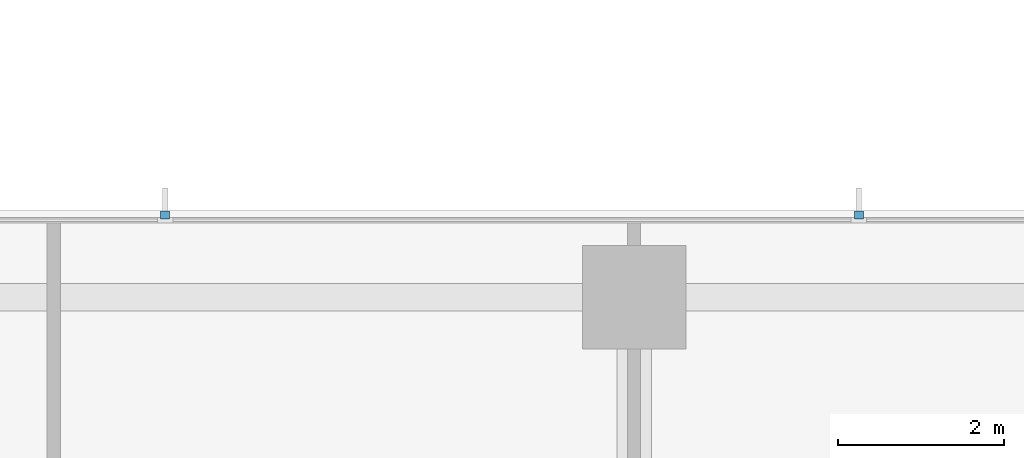
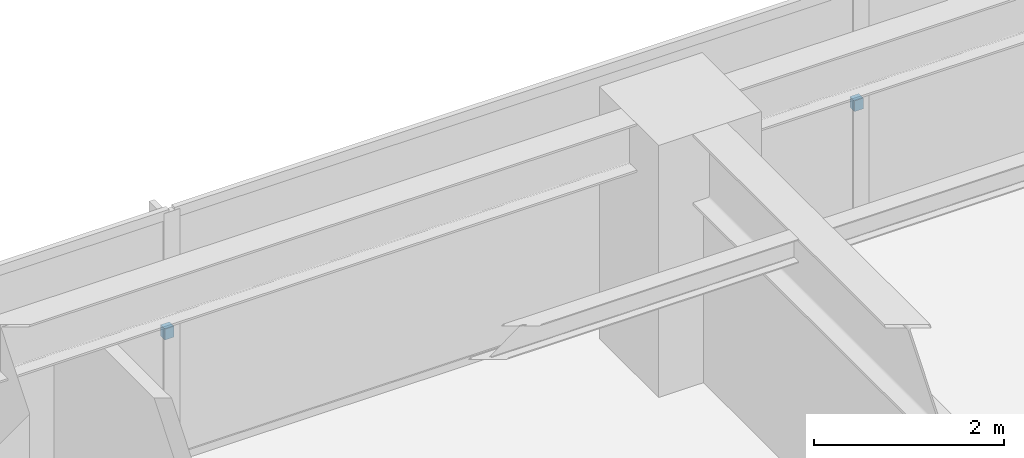
# One storey, part 15 of 17: 2 discrete accessories.
"""IFC4 building model written with IfcOpenShell, lengths in metres."""

from ifc_helpers import new_model, si_unit, direction, frame, origin, place, context, subcontext, project, spatial, polyline, outline, extrude, material, type_object, element, save


model = new_model("IFC4")

# Units and contexts
model_context = context("Model", 3, precision=1e-05, world=origin(), true_north=direction((0.0, 1.0)))
body_context = subcontext(model_context, "Body", "Model", "MODEL_VIEW")
ifc_project = project(units=[si_unit("LENGTHUNIT", "METRE"), si_unit("AREAUNIT", "SQUARE_METRE"), si_unit("VOLUMEUNIT", "CUBIC_METRE"), si_unit("PLANEANGLEUNIT", "RADIAN"), si_unit("MASSUNIT", "GRAM", prefix="KILO")], contexts=[model_context])

# Site, building, storey
site_placement = place(None, origin())
site = spatial("IfcSite", under=ifc_project, at=site_placement, CompositionType="ELEMENT")
building_placement = place(site_placement, origin())
building = spatial("IfcBuilding", under=site, at=building_placement, Name="Qalmaran Belvedere Hotel", CompositionType="ELEMENT")
storey_placement = place(building_placement, frame((0.0, 0.0, 88.199951171875)))
storey = spatial("IfcBuildingStorey", under=building, at=storey_placement, Name="L21", CompositionType="ELEMENT", Elevation=88.199951171875)

# Discrete accessories
ifc_material = material(Name="Stainless Steel 1.4401", Category="steel")
discrete_accessory_type = type_object("IfcDiscreteAccessoryType", Name="BRK-FIN-SS316", PredefinedType="BRACKET", material=ifc_material)
discrete_accessory_1_placement = place(storey_placement, frame((0.0, 0.0, 1.570068359375)))
element("IfcDiscreteAccessory", 1, at=discrete_accessory_1_placement, inside=storey, type_object=discrete_accessory_type, Name="L21 Fin Bracket 1", PredefinedType="BRACKET", context=body_context, shape_type="SweptSolid", body=[
    extrude(outline(polyline([(31.9716796875, 46.39501953125), (31.9716796875, 46.489990234375), (31.86181640625, 46.489990234375), (31.86181640625, 46.39501953125), (31.9716796875, 46.39501953125)])), origin(), (0.0, 0.0, 1.0), 0.139892578125),
])
discrete_accessory_2_placement = place(storey_placement, frame((0.0, 0.0, 1.570068359375)))
element("IfcDiscreteAccessory", 2, at=discrete_accessory_2_placement, inside=storey, type_object=discrete_accessory_type, Name="L21 Fin Bracket 2", PredefinedType="BRACKET", context=body_context, shape_type="SweptSolid", body=[
    extrude(outline(polyline([(23.58837890625, 46.39501953125), (23.58837890625, 46.489990234375), (23.478271484375, 46.489990234375), (23.478271484375, 46.39501953125), (23.58837890625, 46.39501953125)])), origin(), (0.0, 0.0, 1.0), 0.139892578125),
])

save(model, "model.ifc")
